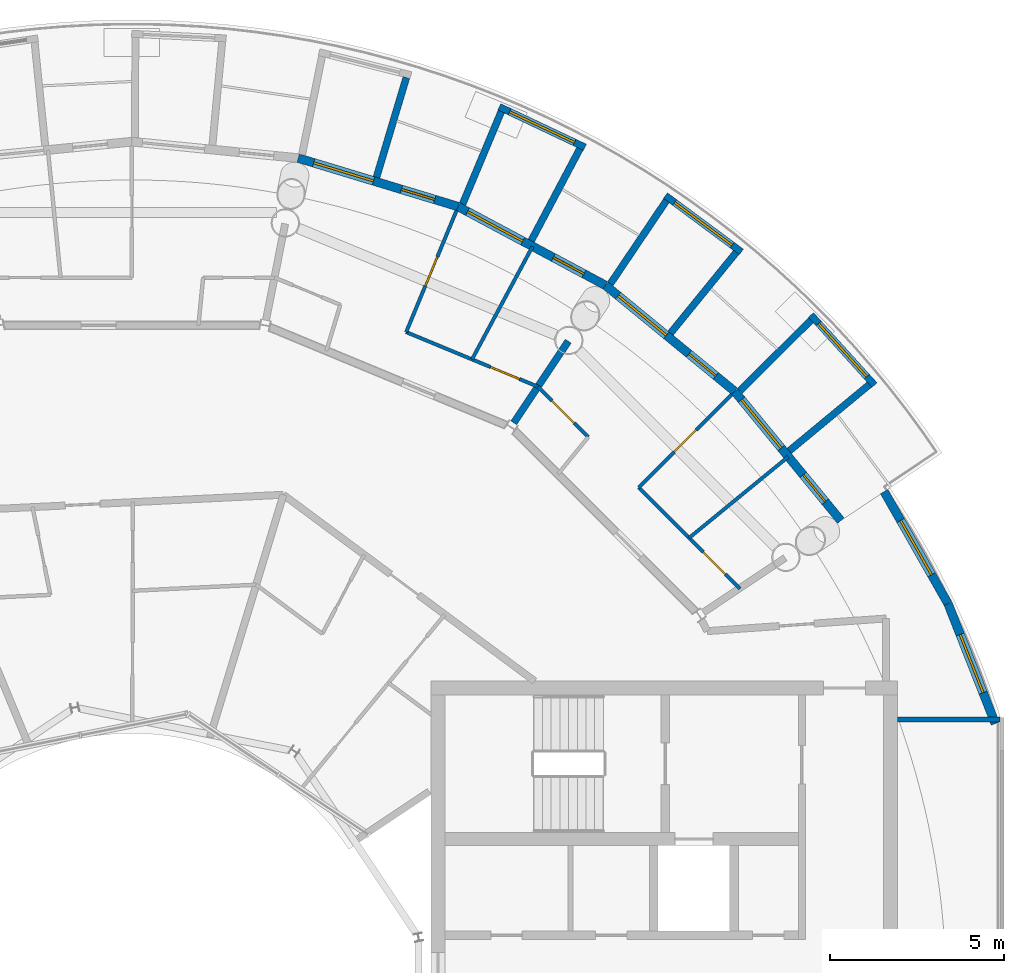
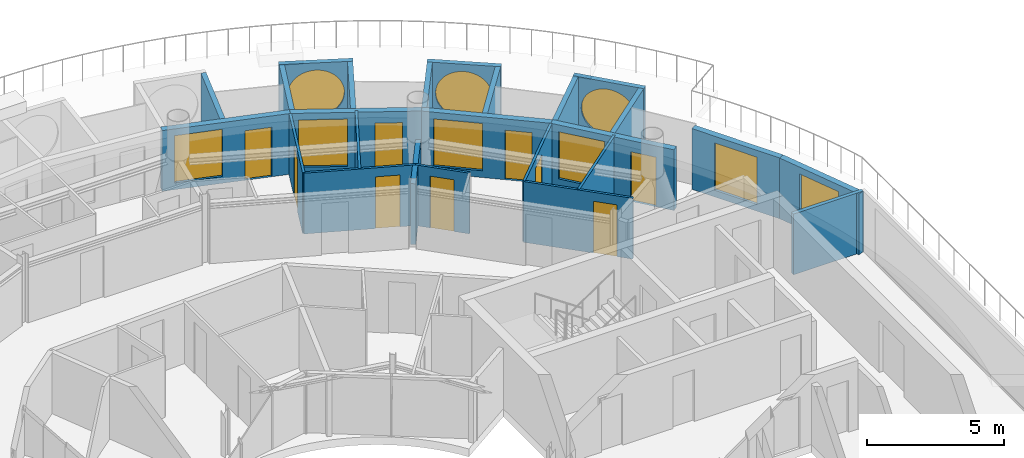
# One storey, part 21 of 25: 25 walls, 9 doors, 9 windows, 18 openings.
"""IFC4 building model written with IfcOpenShell, lengths in metres."""

from ifc_helpers import new_model, si_unit, direction, frame, frame_2d, origin, place, context, subcontext, project, spatial, rectangle, circle, extrude, material, layer, layer_set, type_object, element, fill, save


model = new_model("IFC4")

# Units and contexts
model_context = context("Model", 3, precision=1e-05, world=origin(), true_north=direction((0.0, 1.0)))
body_context = subcontext(model_context, "Body", "Model", "MODEL_VIEW")
ifc_project = project(units=[si_unit("LENGTHUNIT", "METRE"), si_unit("AREAUNIT", "SQUARE_METRE"), si_unit("VOLUMEUNIT", "CUBIC_METRE"), si_unit("PLANEANGLEUNIT", "RADIAN"), si_unit("MASSUNIT", "GRAM", prefix="KILO")], contexts=[model_context])

# Site, building, storey
site_placement = place(None, origin())
site = spatial("IfcSite", under=ifc_project, at=site_placement, CompositionType="ELEMENT")
building_placement = place(site_placement, origin())
building = spatial("IfcBuilding", under=site, at=building_placement, Name="Maasbend Ring Residences", CompositionType="ELEMENT")
storey_placement = place(building_placement, frame((0.0, 0.0, 246.25)))
storey = spatial("IfcBuildingStorey", under=building, at=storey_placement, Name="L71", CompositionType="ELEMENT", Elevation=246.25)

# Wall, opening, window
ifc_material_1 = material(Name="Pale anodised aluminium panel", Category="aluminium")
ifc_layer_1 = layer(ifc_material_1, 0.199951171875)
ifc_layer_set_1 = layer_set([ifc_layer_1], Name="EW-BOX")
wall_type_1 = type_object("IfcWallType", Name="EW-BOX", PredefinedType="SOLIDWALL", material=ifc_layer_set_1)
wall_1_placement = place(storey_placement, frame((21.337890625, 17.506103515625, -0.030029296875), z_axis=(0.0, 0.0, 1.0), x_axis=(-0.671487056022, 0.741016284298, 0.0)))
wall_1 = element("IfcWall", 1, at=wall_1_placement, inside=storey, type_object=wall_type_1, Name="Box front N02", PredefinedType="SOLIDWALL", context=body_context, shape_type="SweptSolid", body=[
    extrude(rectangle(XDim=2.7177734375, YDim=0.199951171875, at=frame_2d((1.35888671875, 0.0))), origin(), (0.0, 0.0, 1.0), 2.72998046875),
])
opening_1_placement = place(wall_1_placement, frame((0.319091796875, 0.0, 0.330078125)))
opening_1 = element("IfcOpeningElement", 2, at=opening_1_placement, cuts=wall_1, Name="Opening W-RD", PredefinedType="OPENING", context=body_context, shape_type="SweptSolid", body=[
    extrude(circle(Radius=1.0400390625, at=frame_2d((1.0400390625, 1.0400390625))), frame((0.0, 0.10986328125, 0.0), z_axis=(0.0, -1.0, 0.0), x_axis=(1.0, 0.0, 0.0)), (0.0, 0.0, 1.0), 0.219970703125),
])
ifc_material_2 = material(Name="Aluminium and clear glass", Category="aluminium")
window_type_1 = type_object("IfcWindowType", Name="W-RD", PartitioningType="SINGLE_PANEL", PredefinedType="WINDOW", material=ifc_material_2)
window_1_placement = place(opening_1_placement, origin())
window_1 = element("IfcWindow", 3, at=window_1_placement, inside=storey, type_object=window_type_1, Name="Round window N02", OverallHeight=2.080078125, OverallWidth=2.080078125, PartitioningType="SINGLE_PANEL", PredefinedType="WINDOW", context=body_context, shape_type="SweptSolid", body=[
    extrude(circle(Radius=1.0400390625, at=frame_2d((1.0400390625, 1.0400390625))), frame((0.0, 0.030029296875, 0.0), z_axis=(0.0, -1.0, 0.0), x_axis=(1.0, 0.0, 0.0)), (0.0, 0.0, 1.0), 0.06005859375),
])
fill(opening_1, window_1)

# Walls
wall_2_placement = place(storey_placement, frame((18.887939453125, 15.614990234375, -0.030029296875), z_axis=(0.0, 0.0, 1.0), x_axis=(0.770489638069, 0.637452521862, 0.0)))
element("IfcWall", 4, at=wall_2_placement, inside=storey, type_object=wall_type_1, Name="Box side wall N02 left", PredefinedType="SOLIDWALL", context=body_context, shape_type="SweptSolid", body=[
    extrude(rectangle(XDim=2.9931640625, YDim=0.199951171875, at=frame_2d((1.49658203125, 0.0))), origin(), (0.0, 0.0, 1.0), 2.72998046875),
])
wall_3_placement = place(storey_placement, frame((17.469970703125, 17.343994140625, -0.030029296875), z_axis=(0.0, 0.0, 1.0), x_axis=(0.709896457854, 0.704306055012, 0.0)))
element("IfcWall", 5, at=wall_3_placement, inside=storey, type_object=wall_type_1, Name="Box side wall N02 right", PredefinedType="SOLIDWALL", context=body_context, shape_type="SweptSolid", body=[
    extrude(rectangle(XDim=2.88232421875, YDim=0.199951171875, at=frame_2d((1.441162109375, 0.0))), origin(), (0.0, 0.0, 1.0), 2.72998046875),
])

# Wall, opening, window
wall_4_placement = place(storey_placement, frame((17.512939453125, 21.33203125, -0.030029296875), z_axis=(0.0, 0.0, 1.0), x_axis=(-0.803211723794, 0.59569365177, 0.0)))
wall_4 = element("IfcWall", 6, at=wall_4_placement, inside=storey, type_object=wall_type_1, Name="Box front N04", PredefinedType="SOLIDWALL", context=body_context, shape_type="SweptSolid", body=[
    extrude(rectangle(XDim=2.7177734375, YDim=0.199951171875, at=frame_2d((1.35888671875, 0.0))), origin(), (0.0, 0.0, 1.0), 2.72998046875),
])
opening_2_placement = place(wall_4_placement, frame((0.319091796875, 0.0, 0.330078125)))
opening_2 = element("IfcOpeningElement", 7, at=opening_2_placement, cuts=wall_4, Name="Opening W-RD", PredefinedType="OPENING", context=body_context, shape_type="SweptSolid", body=[
    extrude(circle(Radius=1.0400390625, at=frame_2d((1.0400390625, 1.0400390625))), frame((0.0, 0.10986328125, 0.0), z_axis=(0.0, -1.0, 0.0), x_axis=(1.0, 0.0, 0.0)), (0.0, 0.0, 1.0), 0.219970703125),
])
window_2_placement = place(opening_2_placement, origin())
window_2 = element("IfcWindow", 8, at=window_2_placement, inside=storey, type_object=window_type_1, Name="Round window N04", OverallHeight=2.080078125, OverallWidth=2.080078125, PartitioningType="SINGLE_PANEL", PredefinedType="WINDOW", context=body_context, shape_type="SweptSolid", body=[
    extrude(circle(Radius=1.0400390625, at=frame_2d((1.0400390625, 1.0400390625))), frame((0.0, 0.030029296875, 0.0), z_axis=(0.0, -1.0, 0.0), x_axis=(1.0, 0.0, 0.0)), (0.0, 0.0, 1.0), 0.06005859375),
])
fill(opening_2, window_2)

# Walls
wall_5_placement = place(storey_placement, frame((15.47900390625, 19.0, -0.030029296875), z_axis=(0.0, 0.0, 1.0), x_axis=(0.631209771017, 0.775612161439, 0.0)))
element("IfcWall", 9, at=wall_5_placement, inside=storey, type_object=wall_type_1, Name="Box side wall N04 left", PredefinedType="SOLIDWALL", context=body_context, shape_type="SweptSolid", body=[
    extrude(rectangle(XDim=2.992431640625, YDim=0.199951171875, at=frame_2d((1.49609375, 0.0))), origin(), (0.0, 0.0, 1.0), 2.72998046875),
])
wall_6_placement = place(storey_placement, frame((13.75, 20.4189453125, -0.030029296875), z_axis=(0.0, 0.0, 1.0), x_axis=(0.558934498222, 0.829211810515, 0.0)))
element("IfcWall", 10, at=wall_6_placement, inside=storey, type_object=wall_type_1, Name="Box side wall N04 right", PredefinedType="SOLIDWALL", context=body_context, shape_type="SweptSolid", body=[
    extrude(rectangle(XDim=2.88232421875, YDim=0.199951171875, at=frame_2d((1.441162109375, 0.0))), origin(), (0.0, 0.0, 1.0), 2.72998046875),
])

# Wall, opening, window
wall_7_placement = place(storey_placement, frame((13.014892578125, 24.339111328125, -0.030029296875), z_axis=(0.0, 0.0, 1.0), x_axis=(-0.904004727627, 0.42752245839, 0.0)))
wall_7 = element("IfcWall", 11, at=wall_7_placement, inside=storey, type_object=wall_type_1, Name="Box front N06", PredefinedType="SOLIDWALL", context=body_context, shape_type="SweptSolid", body=[
    extrude(rectangle(XDim=2.7177734375, YDim=0.199951171875, at=frame_2d((1.35888671875, 0.0))), origin(), (0.0, 0.0, 1.0), 2.72998046875),
])
opening_3_placement = place(wall_7_placement, frame((0.319091796875, 0.0, 0.330078125)))
opening_3 = element("IfcOpeningElement", 12, at=opening_3_placement, cuts=wall_7, Name="Opening W-RD", PredefinedType="OPENING", context=body_context, shape_type="SweptSolid", body=[
    extrude(circle(Radius=1.0400390625, at=frame_2d((1.0400390625, 1.0400390625))), frame((0.0, 0.10986328125, 0.0), z_axis=(0.0, -1.0, 0.0), x_axis=(1.0, 0.0, 0.0)), (0.0, 0.0, 1.0), 0.219970703125),
])
window_3_placement = place(opening_3_placement, origin())
window_3 = element("IfcWindow", 13, at=window_3_placement, inside=storey, type_object=window_type_1, Name="Round window N06", OverallHeight=2.080078125, OverallWidth=2.080078125, PartitioningType="SINGLE_PANEL", PredefinedType="WINDOW", context=body_context, shape_type="SweptSolid", body=[
    extrude(circle(Radius=1.0400390625, at=frame_2d((1.0400390625, 1.0400390625))), frame((0.0, 0.030029296875, 0.0), z_axis=(0.0, -1.0, 0.0), x_axis=(1.0, 0.0, 0.0)), (0.0, 0.0, 1.0), 0.06005859375),
])
fill(opening_3, window_3)

# Walls
wall_8_placement = place(storey_placement, frame((11.47509765625, 21.655029296875, -0.030029296875), z_axis=(0.0, 0.0, 1.0), x_axis=(0.467917715158, 0.883772036128, 0.0)))
element("IfcWall", 14, at=wall_8_placement, inside=storey, type_object=wall_type_1, Name="Box side wall N06 left", PredefinedType="SOLIDWALL", context=body_context, shape_type="SweptSolid", body=[
    extrude(rectangle(XDim=2.99169921875, YDim=0.199951171875, at=frame_2d((1.495849609375, 0.0))), origin(), (0.0, 0.0, 1.0), 2.72998046875),
])
wall_9_placement = place(storey_placement, frame((9.5029296875, 22.708984375, -0.030029296875), z_axis=(0.0, 0.0, 1.0), x_axis=(0.386136412103, 0.922441689891, 0.0)))
element("IfcWall", 15, at=wall_9_placement, inside=storey, type_object=wall_type_1, Name="Box side wall N06 right", PredefinedType="SOLIDWALL", context=body_context, shape_type="SweptSolid", body=[
    extrude(rectangle(XDim=2.882568359375, YDim=0.199951171875, at=frame_2d((1.44140625, 0.0))), origin(), (0.0, 0.0, 1.0), 2.72998046875),
])
wall_10_placement = place(storey_placement, frame((7.029052734375, 23.47705078125, -0.030029296875), z_axis=(0.0, 0.0, 1.0), x_axis=(0.286681681931, 0.958025893828, 0.0)))
element("IfcWall", 16, at=wall_10_placement, inside=storey, type_object=wall_type_1, Name="Box side wall N08 left", PredefinedType="SOLIDWALL", context=body_context, shape_type="SweptSolid", body=[
    extrude(rectangle(XDim=2.992431640625, YDim=0.199951171875, at=frame_2d((1.49609375, 0.0))), origin(), (0.0, 0.0, 1.0), 2.72998046875),
])

# Wall, openings, door, window
ifc_material_3 = material(Name="Aluminium clad insulated panel", Category="aluminium")
ifc_layer_2 = layer(ifc_material_3, 0.25)
ifc_layer_set_2 = layer_set([ifc_layer_2], Name="EW-GL")
wall_type_2 = type_object("IfcWallType", Name="EW-GL", PredefinedType="SOLIDWALL", material=ifc_layer_set_2)
wall_11_placement = place(storey_placement, frame((20.37109375, 13.611083984375, 0.0), z_axis=(0.0, 0.0, 1.0), x_axis=(-0.634396836208, 0.773007538262, 0.0)))
wall_11 = element("IfcWall", 17, at=wall_11_placement, inside=storey, type_object=wall_type_2, Name="External wall N01", PredefinedType="SOLIDWALL", context=body_context, shape_type="SweptSolid", body=[
    extrude(rectangle(XDim=4.80322265625, YDim=0.25, at=frame_2d((2.401611328125, 0.0))), origin(), (0.0, 0.0, 1.0), 2.699951171875),
])
opening_4_placement = place(wall_11_placement, frame((0.70361328125, 0.0, 0.0)))
opening_4 = element("IfcOpeningElement", 18, at=opening_4_placement, cuts=wall_11, Name="Opening D-LG", PredefinedType="OPENING", context=body_context, shape_type="SweptSolid", body=[
    extrude(rectangle(XDim=1.0, YDim=2.199951171875, at=frame_2d((0.5, 1.10009765625))), frame((0.0, 0.135009765625, 0.0), z_axis=(0.0, -1.0, 0.0), x_axis=(1.0, 0.0, 0.0)), (0.0, 0.0, 1.0), 0.27001953125),
])
opening_5_placement = place(wall_11_placement, frame((2.69921875, 0.0, 0.300048828125)))
opening_5 = element("IfcOpeningElement", 19, at=opening_5_placement, cuts=wall_11, Name="Opening W-BX", PredefinedType="OPENING", context=body_context, shape_type="SweptSolid", body=[
    extrude(rectangle(XDim=1.800048828125, YDim=2.10009765625, at=frame_2d((0.89990234375, 1.050048828125))), frame((0.0, 0.135009765625, 0.0), z_axis=(0.0, -1.0, 0.0), x_axis=(1.0, 0.0, 0.0)), (0.0, 0.0, 1.0), 0.27001953125),
])
ifc_material_4 = material(Name="Aluminium and clear glass", Category="aluminium")
door_type_1 = type_object("IfcDoorType", Name="D-LG", OperationType="SINGLE_SWING_LEFT", PredefinedType="DOOR", material=ifc_material_4)
door_1_placement = place(opening_4_placement, origin())
door_1 = element("IfcDoor", 20, at=door_1_placement, inside=storey, type_object=door_type_1, Name="Loggia door N01", OperationType="SINGLE_SWING_LEFT", OverallHeight=2.199951171875, OverallWidth=1.0, PredefinedType="DOOR", context=body_context, shape_type="SweptSolid", body=[
    extrude(rectangle(XDim=1.0, YDim=2.199951171875, at=frame_2d((0.5, 1.10009765625))), frame((0.0, 0.02490234375, 0.0), z_axis=(0.0, -1.0, 0.0), x_axis=(1.0, 0.0, 0.0)), (0.0, 0.0, 1.0), 0.050048828125),
])
fill(opening_4, door_1)
ifc_material_5 = material(Name="Aluminium and clear glass", Category="aluminium")
window_type_2 = type_object("IfcWindowType", Name="W-BX", PartitioningType="DOUBLE_PANEL_VERTICAL", PredefinedType="WINDOW", material=ifc_material_5)
window_4_placement = place(opening_5_placement, origin())
window_4 = element("IfcWindow", 21, at=window_4_placement, inside=storey, type_object=window_type_2, Name="Window N02 room to box", OverallHeight=2.10009765625, OverallWidth=1.800048828125, PartitioningType="SINGLE_PANEL", PredefinedType="WINDOW", context=body_context, shape_type="SweptSolid", body=[
    extrude(rectangle(XDim=1.800048828125, YDim=2.10009765625, at=frame_2d((0.89990234375, 1.050048828125))), frame((0.0, 0.030029296875, 0.0), z_axis=(0.0, -1.0, 0.0), x_axis=(1.0, 0.0, 0.0)), (0.0, 0.0, 1.0), 0.06005859375),
])
fill(opening_5, window_4)

wall_12_placement = place(storey_placement, frame((17.323974609375, 17.323974609375, 0.0), z_axis=(0.0, 0.0, 1.0), x_axis=(-0.773007538262, 0.634396836208, 0.0)))
wall_12 = element("IfcWall", 22, at=wall_12_placement, inside=storey, type_object=wall_type_2, Name="External wall N02", PredefinedType="SOLIDWALL", context=body_context, shape_type="SweptSolid", body=[
    extrude(rectangle(XDim=4.80322265625, YDim=0.25, at=frame_2d((2.401611328125, 0.0))), origin(), (0.0, 0.0, 1.0), 2.699951171875),
])
opening_6_placement = place(wall_12_placement, frame((0.70361328125, 0.0, 0.0)))
opening_6 = element("IfcOpeningElement", 23, at=opening_6_placement, cuts=wall_12, Name="Opening D-LG", PredefinedType="OPENING", context=body_context, shape_type="SweptSolid", body=[
    extrude(rectangle(XDim=1.0, YDim=2.199951171875, at=frame_2d((0.5, 1.10009765625))), frame((0.0, 0.135009765625, 0.0), z_axis=(0.0, -1.0, 0.0), x_axis=(1.0, 0.0, 0.0)), (0.0, 0.0, 1.0), 0.27001953125),
])
opening_7_placement = place(wall_12_placement, frame((2.54150390625, 0.0, 0.300048828125)))
opening_7 = element("IfcOpeningElement", 24, at=opening_7_placement, cuts=wall_12, Name="Opening W-BX", PredefinedType="OPENING", context=body_context, shape_type="SweptSolid", body=[
    extrude(rectangle(XDim=1.800048828125, YDim=2.10009765625, at=frame_2d((0.89990234375, 1.050048828125))), frame((0.0, 0.135009765625, 0.0), z_axis=(0.0, -1.0, 0.0), x_axis=(1.0, 0.0, 0.0)), (0.0, 0.0, 1.0), 0.27001953125),
])
door_2_placement = place(opening_6_placement, origin())
door_2 = element("IfcDoor", 25, at=door_2_placement, inside=storey, type_object=door_type_1, Name="Loggia door N03", OperationType="SINGLE_SWING_LEFT", OverallHeight=2.199951171875, OverallWidth=1.0, PredefinedType="DOOR", context=body_context, shape_type="SweptSolid", body=[
    extrude(rectangle(XDim=1.0, YDim=2.199951171875, at=frame_2d((0.5, 1.10009765625))), frame((0.0, 0.02490234375, 0.0), z_axis=(0.0, -1.0, 0.0), x_axis=(1.0, 0.0, 0.0)), (0.0, 0.0, 1.0), 0.050048828125),
])
fill(opening_6, door_2)
window_5_placement = place(opening_7_placement, origin())
window_5 = element("IfcWindow", 26, at=window_5_placement, inside=storey, type_object=window_type_2, Name="Window N04 room to box", OverallHeight=2.10009765625, OverallWidth=1.800048828125, PartitioningType="SINGLE_PANEL", PredefinedType="WINDOW", context=body_context, shape_type="SweptSolid", body=[
    extrude(rectangle(XDim=1.800048828125, YDim=2.10009765625, at=frame_2d((0.89990234375, 1.050048828125))), frame((0.0, 0.030029296875, 0.0), z_axis=(0.0, -1.0, 0.0), x_axis=(1.0, 0.0, 0.0)), (0.0, 0.0, 1.0), 0.06005859375),
])
fill(opening_7, window_5)

wall_13_placement = place(storey_placement, frame((13.611083984375, 20.37109375, 0.0), z_axis=(0.0, 0.0, 1.0), x_axis=(-0.881903608701, 0.471429766731, 0.0)))
wall_13 = element("IfcWall", 27, at=wall_13_placement, inside=storey, type_object=wall_type_2, Name="External wall N03", PredefinedType="SOLIDWALL", context=body_context, shape_type="SweptSolid", body=[
    extrude(rectangle(XDim=4.80224609375, YDim=0.25, at=frame_2d((2.401123046875, 0.0))), origin(), (0.0, 0.0, 1.0), 2.699951171875),
])
opening_8_placement = place(wall_13_placement, frame((0.70361328125, 0.0, 0.0)))
opening_8 = element("IfcOpeningElement", 28, at=opening_8_placement, cuts=wall_13, Name="Opening D-LG", PredefinedType="OPENING", context=body_context, shape_type="SweptSolid", body=[
    extrude(rectangle(XDim=1.0, YDim=2.199951171875, at=frame_2d((0.5, 1.10009765625))), frame((0.0, 0.135009765625, 0.0), z_axis=(0.0, -1.0, 0.0), x_axis=(1.0, 0.0, 0.0)), (0.0, 0.0, 1.0), 0.27001953125),
])
opening_9_placement = place(wall_13_placement, frame((2.69921875, 0.0, 0.300048828125)))
opening_9 = element("IfcOpeningElement", 29, at=opening_9_placement, cuts=wall_13, Name="Opening W-BX", PredefinedType="OPENING", context=body_context, shape_type="SweptSolid", body=[
    extrude(rectangle(XDim=1.800048828125, YDim=2.10009765625, at=frame_2d((0.89990234375, 1.050048828125))), frame((0.0, 0.135009765625, 0.0), z_axis=(0.0, -1.0, 0.0), x_axis=(1.0, 0.0, 0.0)), (0.0, 0.0, 1.0), 0.27001953125),
])
door_3_placement = place(opening_8_placement, origin())
door_3 = element("IfcDoor", 30, at=door_3_placement, inside=storey, type_object=door_type_1, Name="Loggia door N05", OperationType="SINGLE_SWING_LEFT", OverallHeight=2.199951171875, OverallWidth=1.0, PredefinedType="DOOR", context=body_context, shape_type="SweptSolid", body=[
    extrude(rectangle(XDim=1.0, YDim=2.199951171875, at=frame_2d((0.5, 1.10009765625))), frame((0.0, 0.02490234375, 0.0), z_axis=(0.0, -1.0, 0.0), x_axis=(1.0, 0.0, 0.0)), (0.0, 0.0, 1.0), 0.050048828125),
])
fill(opening_8, door_3)
window_6_placement = place(opening_9_placement, origin())
window_6 = element("IfcWindow", 31, at=window_6_placement, inside=storey, type_object=window_type_2, Name="Window N06 room to box", OverallHeight=2.10009765625, OverallWidth=1.800048828125, PartitioningType="SINGLE_PANEL", PredefinedType="WINDOW", context=body_context, shape_type="SweptSolid", body=[
    extrude(rectangle(XDim=1.800048828125, YDim=2.10009765625, at=frame_2d((0.89990234375, 1.050048828125))), frame((0.0, 0.030029296875, 0.0), z_axis=(0.0, -1.0, 0.0), x_axis=(1.0, 0.0, 0.0)), (0.0, 0.0, 1.0), 0.06005859375),
])
fill(opening_9, window_6)

wall_14_placement = place(storey_placement, frame((9.3759765625, 22.635009765625, 0.0), z_axis=(0.0, 0.0, 1.0), x_axis=(-0.956947414517, 0.290261340605, 0.0)))
wall_14 = element("IfcWall", 32, at=wall_14_placement, inside=storey, type_object=wall_type_2, Name="External wall N04", PredefinedType="SOLIDWALL", context=body_context, shape_type="SweptSolid", body=[
    extrude(rectangle(XDim=4.802734375, YDim=0.25, at=frame_2d((2.4013671875, 0.0))), origin(), (0.0, 0.0, 1.0), 2.699951171875),
])
opening_10_placement = place(wall_14_placement, frame((0.70361328125, 0.0, 0.0)))
opening_10 = element("IfcOpeningElement", 33, at=opening_10_placement, cuts=wall_14, Name="Opening D-LG", PredefinedType="OPENING", context=body_context, shape_type="SweptSolid", body=[
    extrude(rectangle(XDim=1.0, YDim=2.199951171875, at=frame_2d((0.5, 1.10009765625))), frame((0.0, 0.135009765625, 0.0), z_axis=(0.0, -1.0, 0.0), x_axis=(1.0, 0.0, 0.0)), (0.0, 0.0, 1.0), 0.27001953125),
])
opening_11_placement = place(wall_14_placement, frame((2.54150390625, 0.0, 0.300048828125)))
opening_11 = element("IfcOpeningElement", 34, at=opening_11_placement, cuts=wall_14, Name="Opening W-BX", PredefinedType="OPENING", context=body_context, shape_type="SweptSolid", body=[
    extrude(rectangle(XDim=1.800048828125, YDim=2.10009765625, at=frame_2d((0.89990234375, 1.050048828125))), frame((0.0, 0.135009765625, 0.0), z_axis=(0.0, -1.0, 0.0), x_axis=(1.0, 0.0, 0.0)), (0.0, 0.0, 1.0), 0.27001953125),
])
door_4_placement = place(opening_10_placement, origin())
door_4 = element("IfcDoor", 35, at=door_4_placement, inside=storey, type_object=door_type_1, Name="Loggia door N07", OperationType="SINGLE_SWING_LEFT", OverallHeight=2.199951171875, OverallWidth=1.0, PredefinedType="DOOR", context=body_context, shape_type="SweptSolid", body=[
    extrude(rectangle(XDim=1.0, YDim=2.199951171875, at=frame_2d((0.5, 1.10009765625))), frame((0.0, 0.02490234375, 0.0), z_axis=(0.0, -1.0, 0.0), x_axis=(1.0, 0.0, 0.0)), (0.0, 0.0, 1.0), 0.050048828125),
])
fill(opening_10, door_4)
window_7_placement = place(opening_11_placement, origin())
window_7 = element("IfcWindow", 36, at=window_7_placement, inside=storey, type_object=window_type_2, Name="Window N08 room to box", OverallHeight=2.10009765625, OverallWidth=1.800048828125, PartitioningType="SINGLE_PANEL", PredefinedType="WINDOW", context=body_context, shape_type="SweptSolid", body=[
    extrude(rectangle(XDim=1.800048828125, YDim=2.10009765625, at=frame_2d((0.89990234375, 1.050048828125))), frame((0.0, 0.030029296875, 0.0), z_axis=(0.0, -1.0, 0.0), x_axis=(1.0, 0.0, 0.0)), (0.0, 0.0, 1.0), 0.06005859375),
])
fill(opening_11, window_7)

# Wall, opening, window
ifc_material_6 = material(Name="Aluminium clad insulated panel", Category="aluminium")
ifc_layer_3 = layer(ifc_material_6, 0.25)
ifc_layer_set_3 = layer_set([ifc_layer_3], Name="EW-HORN")
wall_type_3 = type_object("IfcWallType", Name="EW-HORN", PredefinedType="SOLIDWALL", material=ifc_layer_set_3)
wall_15_placement = place(storey_placement, frame((24.80908203125, 7.779052734375, 0.0), z_axis=(0.0, 0.0, 1.0), x_axis=(-0.366351636034, 0.930476479432, 0.0)))
wall_15 = element("IfcWall", 37, at=wall_15_placement, inside=storey, type_object=wall_type_3, Name="Horn wall 1.1", PredefinedType="SOLIDWALL", context=body_context, shape_type="SweptSolid", body=[
    extrude(rectangle(XDim=3.70458984375, YDim=0.25, at=frame_2d((1.852294921875, 0.0))), origin(), (0.0, 0.0, 1.0), 2.699951171875),
])
opening_12_placement = place(wall_15_placement, frame((0.952392578125, 0.0, 0.300048828125)))
opening_12 = element("IfcOpeningElement", 38, at=opening_12_placement, cuts=wall_15, Name="Opening W-BX", PredefinedType="OPENING", context=body_context, shape_type="SweptSolid", body=[
    extrude(rectangle(XDim=1.800048828125, YDim=2.10009765625, at=frame_2d((0.89990234375, 1.050048828125))), frame((0.0, 0.135009765625, 0.0), z_axis=(0.0, -1.0, 0.0), x_axis=(1.0, 0.0, 0.0)), (0.0, 0.0, 1.0), 0.27001953125),
])
window_8_placement = place(opening_12_placement, origin())
window_8 = element("IfcWindow", 39, at=window_8_placement, inside=storey, type_object=window_type_2, Name="Horn window 1.1", OverallHeight=2.10009765625, OverallWidth=1.800048828125, PartitioningType="SINGLE_PANEL", PredefinedType="WINDOW", context=body_context, shape_type="SweptSolid", body=[
    extrude(rectangle(XDim=1.800048828125, YDim=2.10009765625, at=frame_2d((0.89990234375, 1.050048828125))), frame((0.0, 0.030029296875, 0.0), z_axis=(0.0, -1.0, 0.0), x_axis=(1.0, 0.0, 0.0)), (0.0, 0.0, 1.0), 0.06005859375),
])
fill(opening_12, window_8)

wall_16_placement = place(storey_placement, frame((23.451904296875, 11.22607421875, 0.0), z_axis=(0.0, 0.0, 1.0), x_axis=(-0.495031435966, 0.868875064325, 0.0)))
wall_16 = element("IfcWall", 40, at=wall_16_placement, inside=storey, type_object=wall_type_3, Name="Horn wall 1.2", PredefinedType="SOLIDWALL", context=body_context, shape_type="SweptSolid", body=[
    extrude(rectangle(XDim=3.704833984375, YDim=0.25, at=frame_2d((1.8525390625, 0.0))), origin(), (0.0, 0.0, 1.0), 2.699951171875),
])
opening_13_placement = place(wall_16_placement, frame((0.952392578125, 0.0, 0.300048828125)))
opening_13 = element("IfcOpeningElement", 41, at=opening_13_placement, cuts=wall_16, Name="Opening W-BX", PredefinedType="OPENING", context=body_context, shape_type="SweptSolid", body=[
    extrude(rectangle(XDim=1.800048828125, YDim=2.10009765625, at=frame_2d((0.89990234375, 1.050048828125))), frame((0.0, 0.135009765625, 0.0), z_axis=(0.0, -1.0, 0.0), x_axis=(1.0, 0.0, 0.0)), (0.0, 0.0, 1.0), 0.27001953125),
])
window_9_placement = place(opening_13_placement, origin())
window_9 = element("IfcWindow", 42, at=window_9_placement, inside=storey, type_object=window_type_2, Name="Horn window 1.2", OverallHeight=2.10009765625, OverallWidth=1.800048828125, PartitioningType="SINGLE_PANEL", PredefinedType="WINDOW", context=body_context, shape_type="SweptSolid", body=[
    extrude(rectangle(XDim=1.800048828125, YDim=2.10009765625, at=frame_2d((0.89990234375, 1.050048828125))), frame((0.0, 0.030029296875, 0.0), z_axis=(0.0, -1.0, 0.0), x_axis=(1.0, 0.0, 0.0)), (0.0, 0.0, 1.0), 0.06005859375),
])
fill(opening_13, window_9)

# Wall, opening, door
ifc_material_7 = material(Name="Gypsum board on steel studs", Category="steel")
ifc_layer_4 = layer(ifc_material_7, 0.10009765625)
ifc_layer_set_4 = layer_set([ifc_layer_4], Name="PARTITION 100 GYPSUM")
wall_type_4 = type_object("IfcWallType", Name="PARTITION 100 GYPSUM", PredefinedType="PARTITIONING", material=ifc_layer_set_4)
wall_17_placement = place(storey_placement, frame((7.882080078125, 19.029052734375, 0.0), z_axis=(0.0, 0.0, 1.0), x_axis=(0.382637120452, 0.923898714174, 0.0)))
wall_17 = element("IfcWall", 43, at=wall_17_placement, inside=storey, type_object=wall_type_4, Name="U-L71-w076", PredefinedType="PARTITIONING", context=body_context, shape_type="SweptSolid", body=[
    extrude(rectangle(XDim=3.778564453125, YDim=0.10009765625, at=frame_2d((1.88916015625, 0.0))), origin(), (0.0, 0.0, 1.0), 2.699951171875),
])
opening_14_placement = place(wall_17_placement, frame((1.43896484375, 0.0, 0.0)))
opening_14 = element("IfcOpeningElement", 44, at=opening_14_placement, cuts=wall_17, Name="Opening D-7107", PredefinedType="OPENING", context=body_context, shape_type="SweptSolid", body=[
    extrude(rectangle(XDim=0.89990234375, YDim=2.300048828125, at=frame_2d((0.449951171875, 1.14990234375))), frame((0.0, 0.06005859375, 0.0), z_axis=(0.0, -1.0, 0.0), x_axis=(1.0, 0.0, 0.0)), (0.0, 0.0, 1.0), 0.1201171875),
])
ifc_material_8 = material(Name="Timber, painted", Category="wood")
door_type_2 = type_object("IfcDoorType", Name="INTERNAL DOOR 900 X 2300", OperationType="NOTDEFINED", PredefinedType="DOOR", material=ifc_material_8)
door_5_placement = place(opening_14_placement, origin())
door_5 = element("IfcDoor", 45, at=door_5_placement, inside=storey, type_object=door_type_2, Name="D-7107", OperationType="SINGLE_SWING_RIGHT", OverallHeight=2.300048828125, OverallWidth=0.89990234375, PredefinedType="DOOR", context=body_context, shape_type="SweptSolid", body=[
    extrude(rectangle(XDim=0.89990234375, YDim=2.300048828125, at=frame_2d((0.449951171875, 1.14990234375))), frame((0.0, 0.02490234375, 0.0), z_axis=(0.0, -1.0, 0.0), x_axis=(1.0, 0.0, 0.0)), (0.0, 0.0, 1.0), 0.050048828125),
])
fill(opening_14, door_5)

# Wall
wall_18_placement = place(storey_placement, frame((9.77392578125, 18.2451171875, 0.0), z_axis=(0.0, 0.0, 1.0), x_axis=(0.47239643711, 0.881386184488, 0.0)))
element("IfcWall", 46, at=wall_18_placement, inside=storey, type_object=wall_type_4, Name="U-L71-w077", PredefinedType="PARTITIONING", context=body_context, shape_type="SweptSolid", body=[
    extrude(rectangle(XDim=3.67724609375, YDim=0.10009765625, at=frame_2d((1.838623046875, 0.0))), origin(), (0.0, 0.0, 1.0), 2.699951171875),
])

# Wall, opening, door
wall_19_placement = place(storey_placement, frame((14.56396484375, 14.56396484375, 0.0), z_axis=(0.0, 0.0, 1.0), x_axis=(0.707106781187, 0.707106781187, 0.0)))
wall_19 = element("IfcWall", 47, at=wall_19_placement, inside=storey, type_object=wall_type_4, Name="U-L71-w083", PredefinedType="PARTITIONING", context=body_context, shape_type="SweptSolid", body=[
    extrude(rectangle(XDim=3.779052734375, YDim=0.10009765625, at=frame_2d((1.8896484375, 0.0))), origin(), (0.0, 0.0, 1.0), 2.699951171875),
])
opening_15_placement = place(wall_19_placement, frame((1.43896484375, 0.0, 0.0)))
opening_15 = element("IfcOpeningElement", 48, at=opening_15_placement, cuts=wall_19, Name="Opening D-7103", PredefinedType="OPENING", context=body_context, shape_type="SweptSolid", body=[
    extrude(rectangle(XDim=0.89990234375, YDim=2.300048828125, at=frame_2d((0.449951171875, 1.14990234375))), frame((0.0, 0.06005859375, 0.0), z_axis=(0.0, -1.0, 0.0), x_axis=(1.0, 0.0, 0.0)), (0.0, 0.0, 1.0), 0.1201171875),
])
door_6_placement = place(opening_15_placement, origin())
door_6 = element("IfcDoor", 49, at=door_6_placement, inside=storey, type_object=door_type_2, Name="D-7103", OperationType="SINGLE_SWING_LEFT", OverallHeight=2.300048828125, OverallWidth=0.89990234375, PredefinedType="DOOR", context=body_context, shape_type="SweptSolid", body=[
    extrude(rectangle(XDim=0.89990234375, YDim=2.300048828125, at=frame_2d((0.449951171875, 1.14990234375))), frame((0.0, 0.02490234375, 0.0), z_axis=(0.0, -1.0, 0.0), x_axis=(1.0, 0.0, 0.0)), (0.0, 0.0, 1.0), 0.050048828125),
])
fill(opening_15, door_6)

# Wall
wall_20_placement = place(storey_placement, frame((16.011962890625, 13.114990234375, 0.0), z_axis=(0.0, 0.0, 1.0), x_axis=(0.773640700514, 0.633624546958, 0.0)))
element("IfcWall", 50, at=wall_20_placement, inside=storey, type_object=wall_type_4, Name="U-L71-w085", PredefinedType="PARTITIONING", context=body_context, shape_type="SweptSolid", body=[
    extrude(rectangle(XDim=3.677490234375, YDim=0.10009765625, at=frame_2d((1.8388671875, 0.0))), origin(), (0.0, 0.0, 1.0), 2.699951171875),
])

# Wall, opening, door
wall_21_placement = place(storey_placement, frame((7.8798828125, 19.030029296875, 0.0), z_axis=(0.0, 0.0, 1.0), x_axis=(0.92382889974, -0.382805647824, 0.0)))
wall_21 = element("IfcWall", 51, at=wall_21_placement, inside=storey, type_object=wall_type_4, Name="U-L71-w116", PredefinedType="PARTITIONING", context=body_context, shape_type="SweptSolid", body=[
    extrude(rectangle(XDim=4.1015625, YDim=0.10009765625, at=frame_2d((2.05078125, 0.0))), origin(), (0.0, 0.0, 1.0), 2.699951171875),
])
opening_16_placement = place(wall_21_placement, frame((2.6259765625, 0.0, 0.0)))
opening_16 = element("IfcOpeningElement", 52, at=opening_16_placement, cuts=wall_21, Name="Opening D-7108", PredefinedType="OPENING", context=body_context, shape_type="SweptSolid", body=[
    extrude(rectangle(XDim=0.89990234375, YDim=2.300048828125, at=frame_2d((0.449951171875, 1.14990234375))), frame((0.0, 0.06005859375, 0.0), z_axis=(0.0, -1.0, 0.0), x_axis=(1.0, 0.0, 0.0)), (0.0, 0.0, 1.0), 0.1201171875),
])
door_7_placement = place(opening_16_placement, origin())
door_7 = element("IfcDoor", 53, at=door_7_placement, inside=storey, type_object=door_type_2, Name="D-7108", OperationType="SINGLE_SWING_RIGHT", OverallHeight=2.300048828125, OverallWidth=0.89990234375, PredefinedType="DOOR", context=body_context, shape_type="SweptSolid", body=[
    extrude(rectangle(XDim=0.89990234375, YDim=2.300048828125, at=frame_2d((0.449951171875, 1.14990234375))), frame((0.0, 0.02490234375, 0.0), z_axis=(0.0, -1.0, 0.0), x_axis=(1.0, 0.0, 0.0)), (0.0, 0.0, 1.0), 0.050048828125),
])
fill(opening_16, door_7)

wall_22_placement = place(storey_placement, frame((11.6669921875, 17.4609375, 0.0), z_axis=(0.0, 0.0, 1.0), x_axis=(0.706868377032, -0.707345104989, 0.0)))
wall_22 = element("IfcWall", 54, at=wall_22_placement, inside=storey, type_object=wall_type_4, Name="U-L71-w117", PredefinedType="PARTITIONING", context=body_context, shape_type="SweptSolid", body=[
    extrude(rectangle(XDim=2.048583984375, YDim=0.10009765625, at=frame_2d((1.0244140625, 0.0))), origin(), (0.0, 0.0, 1.0), 2.699951171875),
])
opening_17_placement = place(wall_22_placement, frame((0.573974609375, 0.0, 0.0)))
opening_17 = element("IfcOpeningElement", 55, at=opening_17_placement, cuts=wall_22, Name="Opening D-7102", PredefinedType="OPENING", context=body_context, shape_type="SweptSolid", body=[
    extrude(rectangle(XDim=0.89990234375, YDim=2.300048828125, at=frame_2d((0.449951171875, 1.14990234375))), frame((0.0, 0.06005859375, 0.0), z_axis=(0.0, -1.0, 0.0), x_axis=(1.0, 0.0, 0.0)), (0.0, 0.0, 1.0), 0.1201171875),
])
door_8_placement = place(opening_17_placement, origin())
door_8 = element("IfcDoor", 56, at=door_8_placement, inside=storey, type_object=door_type_2, Name="D-7102", OperationType="SINGLE_SWING_RIGHT", OverallHeight=2.300048828125, OverallWidth=0.89990234375, PredefinedType="DOOR", context=body_context, shape_type="SweptSolid", body=[
    extrude(rectangle(XDim=0.89990234375, YDim=2.300048828125, at=frame_2d((0.449951171875, 1.14990234375))), frame((0.0, 0.02490234375, 0.0), z_axis=(0.0, -1.0, 0.0), x_axis=(1.0, 0.0, 0.0)), (0.0, 0.0, 1.0), 0.050048828125),
])
fill(opening_17, door_8)

wall_23_placement = place(storey_placement, frame((14.56298828125, 14.56298828125, 0.0), z_axis=(0.0, 0.0, 1.0), x_axis=(0.70686919808, -0.707344284494, 0.0)))
wall_23 = element("IfcWall", 57, at=wall_23_placement, inside=storey, type_object=wall_type_4, Name="U-L71-w118", PredefinedType="PARTITIONING", context=body_context, shape_type="SweptSolid", body=[
    extrude(rectangle(XDim=4.111083984375, YDim=0.10009765625, at=frame_2d((2.0556640625, 0.0))), origin(), (0.0, 0.0, 1.0), 2.699951171875),
])
opening_18_placement = place(wall_23_placement, frame((2.6259765625, 0.0, 0.0)))
opening_18 = element("IfcOpeningElement", 58, at=opening_18_placement, cuts=wall_23, Name="Opening D-7104", PredefinedType="OPENING", context=body_context, shape_type="SweptSolid", body=[
    extrude(rectangle(XDim=0.89990234375, YDim=2.300048828125, at=frame_2d((0.449951171875, 1.14990234375))), frame((0.0, 0.06005859375, 0.0), z_axis=(0.0, -1.0, 0.0), x_axis=(1.0, 0.0, 0.0)), (0.0, 0.0, 1.0), 0.1201171875),
])
door_9_placement = place(opening_18_placement, origin())
door_9 = element("IfcDoor", 59, at=door_9_placement, inside=storey, type_object=door_type_2, Name="D-7104", OperationType="SINGLE_SWING_RIGHT", OverallHeight=2.300048828125, OverallWidth=0.89990234375, PredefinedType="DOOR", context=body_context, shape_type="SweptSolid", body=[
    extrude(rectangle(XDim=0.89990234375, YDim=2.300048828125, at=frame_2d((0.449951171875, 1.14990234375))), frame((0.0, 0.02490234375, 0.0), z_axis=(0.0, -1.0, 0.0), x_axis=(1.0, 0.0, 0.0)), (0.0, 0.0, 1.0), 0.050048828125),
])
fill(opening_18, door_9)

# Walls
ifc_material_9 = material(Name="Gypsum board on steel studs", Category="steel")
ifc_layer_5 = layer(ifc_material_9, 0.14990234375)
ifc_layer_set_5 = layer_set([ifc_layer_5], Name="PARTITION 150 EI 60")
wall_type_5 = type_object("IfcWallType", Name="PARTITION 150 EI 60", PredefinedType="PARTITIONING", material=ifc_layer_set_5)
wall_24_placement = place(storey_placement, frame((22.0, 7.89990234375, 0.0), z_axis=(0.0, 0.0, 1.0), x_axis=(1.0, 0.0, 0.0)))
element("IfcWall", 60, at=wall_24_placement, inside=storey, type_object=wall_type_5, Name="L71 core E wall CITN", PredefinedType="PARTITIONING", context=body_context, shape_type="SweptSolid", body=[
    extrude(rectangle(XDim=2.93994140625, YDim=0.14990234375, at=frame_2d((1.469970703125, 0.0))), origin(), (0.0, 0.0, 1.0), 2.699951171875),
])
ifc_material_10 = material(Name="Concrete C30/37", Category="concrete")
ifc_layer_6 = layer(ifc_material_10, 0.199951171875)
ifc_layer_set_6 = layer_set([ifc_layer_6], Name="Concrete C30/37")
wall_type_6 = type_object("IfcWallType", Name="PARTY WALL 200 CONCRETE", PredefinedType="PARTITIONING", material=ifc_layer_set_6)
wall_25_placement = place(storey_placement, frame((10.971923828125, 16.422119140625, 0.0), z_axis=(0.0, 0.0, 1.0), x_axis=(0.555797325324, 0.83131782921, 0.0)))
element("IfcWall", 61, at=wall_25_placement, inside=storey, type_object=wall_type_6, Name="U-L71-w079", PredefinedType="PARTITIONING", context=body_context, shape_type="SweptSolid", body=[
    extrude(rectangle(XDim=2.8232421875, YDim=0.199951171875, at=frame_2d((1.41162109375, 0.0))), origin(), (0.0, 0.0, 1.0), 2.699951171875),
])

save(model, "model.ifc")
